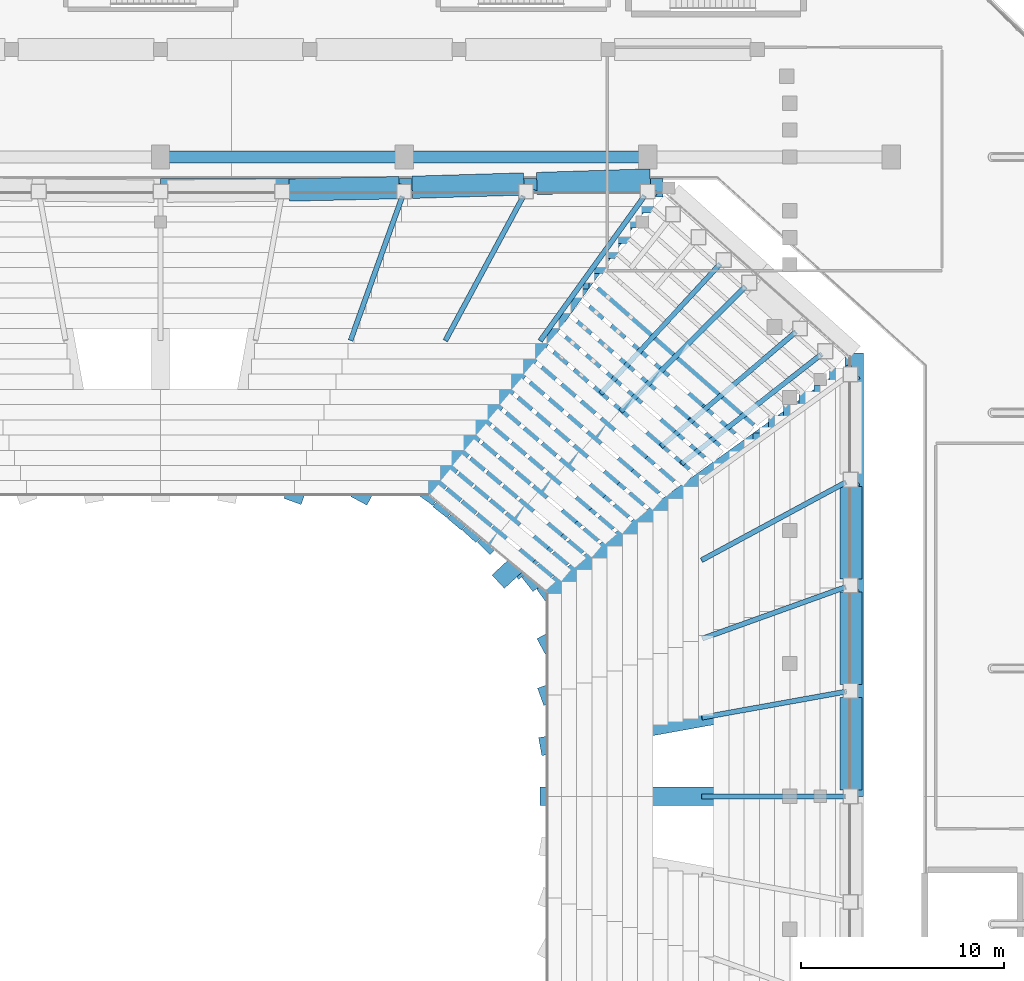
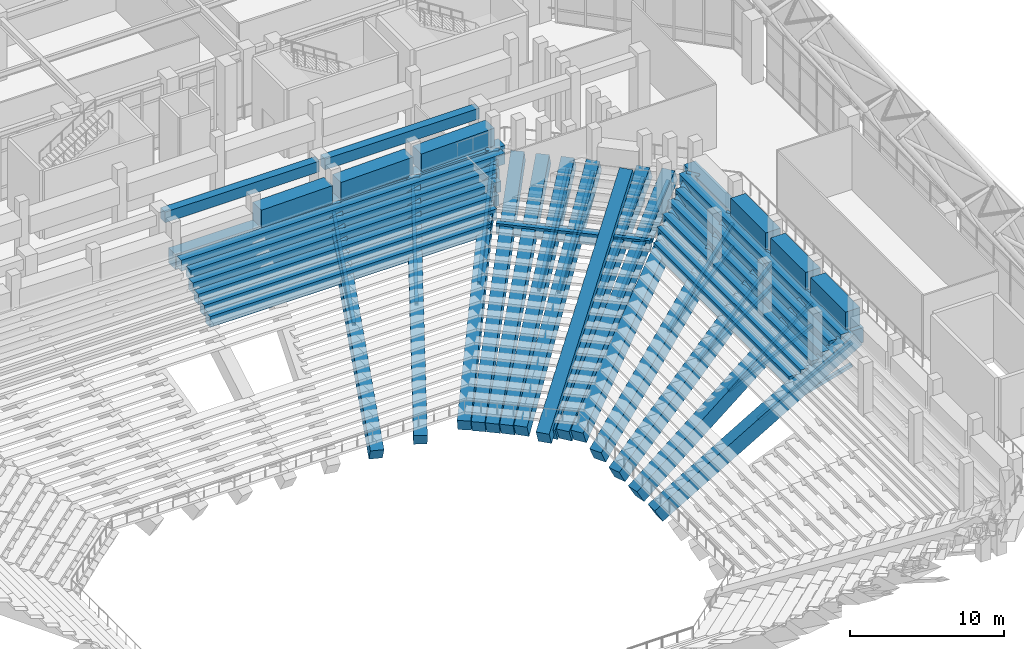
# One storey, part 51 of 159: 38 beams, 22 members.
"""IFC4 building model written with IfcOpenShell, lengths in metres."""

from ifc_helpers import new_model, si_unit, derived_unit, direction, frame, origin, origin_2d, place, context, subcontext, project, spatial, rectangle, hollow_rectangle, extrude, material, material_profile, profile_set, type_object, element, save


model = new_model("IFC4")

# Units and contexts
model_context = context("Model", 3, precision=1e-05, world=origin(), true_north=direction((0.0, 1.0)))
body_context = subcontext(model_context, "Body", "Model", "MODEL_VIEW")
ifc_project = project(units=[si_unit("LENGTHUNIT", "METRE"), si_unit("AREAUNIT", "SQUARE_METRE"), si_unit("VOLUMEUNIT", "CUBIC_METRE"), si_unit("PLANEANGLEUNIT", "RADIAN"), si_unit("MASSUNIT", "GRAM", prefix="KILO"), derived_unit("THERMALTRANSMITTANCEUNIT", [(si_unit("MASSUNIT", "GRAM", prefix="KILO"), 1), (si_unit("TIMEUNIT", "SECOND"), -3), (si_unit("THERMODYNAMICTEMPERATUREUNIT", "KELVIN"), -1)])], contexts=[model_context])

# Site, building, storey
site_placement = place(None, origin())
site = spatial("IfcSite", under=ifc_project, at=site_placement, CompositionType="ELEMENT")
building_placement = place(site_placement, origin())
building = spatial("IfcBuilding", under=site, at=building_placement, Name="Valcora Ridge Arena", CompositionType="ELEMENT")
storey_placement = place(building_placement, frame((0.0, 0.0, 6.0)))
storey = spatial("IfcBuildingStorey", under=building, at=storey_placement, Name="L01", CompositionType="ELEMENT", Elevation=6.0)

# Beams
ifc_material_1 = material(Name="Concrete C40/50", Category="concrete")
ifc_material_profile_1 = material_profile(ifc_material_1, rectangle(XDim=0.60009765625, YDim=0.85009765625, at=origin_2d()), Name="RC 600x850")
ifc_profile_set_1 = profile_set([ifc_material_profile_1], Name="Concrete C40/50")
beam_type_1 = type_object("IfcBeamType", Name="TY-BEAM-B-RC600-X", PredefinedType="BEAM", material=ifc_profile_set_1)
beam_1_placement = place(storey_placement, frame((87.5, 64.3798828125, 0.135009765625), z_axis=(0.0, 1.0, 0.0), x_axis=(-1.0, 0.0, 0.0)))
element("IfcBeam", 1, at=beam_1_placement, inside=storey, type_object=beam_type_1, Name="B-RC600-X BEM-R2-B-RC600-X-0161", PredefinedType="BEAM", context=body_context, shape_type="SweptSolid", body=[
    extrude(rectangle(XDim=0.60009765625, YDim=0.85009765625, at=origin_2d()), origin(), (0.0, 0.0, 1.0), 17.630126953125),
])
beam_2_placement = place(storey_placement, frame((87.28955078125, 82.474609375, 0.135009765625), z_axis=(-0.751952198768, 0.659217635359, 0.0), x_axis=(-0.659217635359, -0.751952198768, 0.0)))
element("IfcBeam", 2, at=beam_2_placement, inside=storey, type_object=beam_type_1, Name="B-RC600-X BEM-R2-B-RC600-X-0162", PredefinedType="BEAM", context=body_context, shape_type="SweptSolid", body=[
    extrude(rectangle(XDim=0.60009765625, YDim=0.85009765625, at=origin_2d()), origin(), (0.0, 0.0, 1.0), 10.225341796875),
])
beam_3_placement = place(storey_placement, frame((79.110107421875, 89.39990234375, 0.135009765625), z_axis=(-1.0, 0.0, 0.0), x_axis=(0.0, -1.0, 0.0)))
element("IfcBeam", 3, at=beam_3_placement, inside=storey, type_object=beam_type_1, Name="B-RC600-X BEM-R2-B-RC600-X-0163", PredefinedType="BEAM", context=body_context, shape_type="SweptSolid", body=[
    extrude(rectangle(XDim=0.60009765625, YDim=0.85009765625, at=origin_2d()), origin(), (0.0, 0.0, 1.0), 21.110107421875),
])
beam_4_placement = place(storey_placement, frame((88.25, 64.10009765625, 0.574951171875), z_axis=(0.0, 1.0, 0.0), x_axis=(-1.0, 0.0, 0.0)))
element("IfcBeam", 4, at=beam_4_placement, inside=storey, type_object=beam_type_1, Name="B-RC600-X BEM-R2-B-RC600-X-0173", PredefinedType="BEAM", context=body_context, shape_type="SweptSolid", body=[
    extrude(rectangle(XDim=0.60009765625, YDim=0.85009765625, at=origin_2d()), origin(), (0.0, 0.0, 1.0), 18.77490234375),
])
beam_5_placement = place(storey_placement, frame((79.97509765625, 90.14990234375, 0.574951171875), z_axis=(-1.0, 0.0, 0.0), x_axis=(0.0, -1.0, 0.0)))
element("IfcBeam", 5, at=beam_5_placement, inside=storey, type_object=beam_type_1, Name="B-RC600-X BEM-R2-B-RC600-X-0175", PredefinedType="BEAM", context=body_context, shape_type="SweptSolid", body=[
    extrude(rectangle(XDim=0.60009765625, YDim=0.85009765625, at=origin_2d()), origin(), (0.0, 0.0, 1.0), 21.97509765625),
])
beam_6_placement = place(storey_placement, frame((89.0, 64.10009765625, 1.014892578125), z_axis=(0.0, 1.0, 0.0), x_axis=(-1.0, 0.0, 0.0)))
element("IfcBeam", 6, at=beam_6_placement, inside=storey, type_object=beam_type_1, Name="B-RC600-X BEM-R2-B-RC600-X-0185", PredefinedType="BEAM", context=body_context, shape_type="SweptSolid", body=[
    extrude(rectangle(XDim=0.60009765625, YDim=0.85009765625, at=origin_2d()), origin(), (0.0, 0.0, 1.0), 19.35986328125),
])
beam_7_placement = place(storey_placement, frame((80.56005859375, 90.89990234375, 1.014892578125), z_axis=(-1.0, 0.0, 0.0), x_axis=(0.0, -1.0, 0.0)))
element("IfcBeam", 7, at=beam_7_placement, inside=storey, type_object=beam_type_1, Name="B-RC600-X BEM-R2-B-RC600-X-0187", PredefinedType="BEAM", context=body_context, shape_type="SweptSolid", body=[
    extrude(rectangle(XDim=0.60009765625, YDim=0.85009765625, at=origin_2d()), origin(), (0.0, 0.0, 1.0), 22.56005859375),
])
beam_8_placement = place(storey_placement, frame((89.75, 64.10009765625, 1.455078125), z_axis=(0.0, 1.0, 0.0), x_axis=(-1.0, 0.0, 0.0)))
element("IfcBeam", 8, at=beam_8_placement, inside=storey, type_object=beam_type_1, Name="B-RC600-X BEM-R2-B-RC600-X-0197", PredefinedType="BEAM", context=body_context, shape_type="SweptSolid", body=[
    extrude(rectangle(XDim=0.60009765625, YDim=0.85009765625, at=origin_2d()), origin(), (0.0, 0.0, 1.0), 19.94482421875),
])
beam_9_placement = place(storey_placement, frame((81.14501953125, 91.64990234375, 1.455078125), z_axis=(-1.0, 0.0, 0.0), x_axis=(0.0, -1.0, 0.0)))
element("IfcBeam", 9, at=beam_9_placement, inside=storey, type_object=beam_type_1, Name="B-RC600-X BEM-R2-B-RC600-X-0199", PredefinedType="BEAM", context=body_context, shape_type="SweptSolid", body=[
    extrude(rectangle(XDim=0.60009765625, YDim=0.85009765625, at=origin_2d()), origin(), (0.0, 0.0, 1.0), 23.14501953125),
])
beam_10_placement = place(storey_placement, frame((90.5, 64.3798828125, 1.89501953125), z_axis=(0.0, 1.0, 0.0), x_axis=(-1.0, 0.0, 0.0)))
element("IfcBeam", 10, at=beam_10_placement, inside=storey, type_object=beam_type_1, Name="B-RC600-X BEM-R2-B-RC600-X-0209", PredefinedType="BEAM", context=body_context, shape_type="SweptSolid", body=[
    extrude(rectangle(XDim=0.60009765625, YDim=0.85009765625, at=origin_2d()), origin(), (0.0, 0.0, 1.0), 19.97021484375),
])
beam_11_placement = place(storey_placement, frame((81.449951171875, 92.39990234375, 1.89501953125), z_axis=(-1.0, 0.0, 0.0), x_axis=(0.0, -1.0, 0.0)))
element("IfcBeam", 11, at=beam_11_placement, inside=storey, type_object=beam_type_1, Name="B-RC600-X BEM-R2-B-RC600-X-0211", PredefinedType="BEAM", context=body_context, shape_type="SweptSolid", body=[
    extrude(rectangle(XDim=0.60009765625, YDim=0.85009765625, at=origin_2d()), origin(), (0.0, 0.0, 1.0), 23.169921875),
])
beam_12_placement = place(storey_placement, frame((91.25, 64.10009765625, 2.3349609375), z_axis=(0.0, 1.0, 0.0), x_axis=(-1.0, 0.0, 0.0)))
element("IfcBeam", 12, at=beam_12_placement, inside=storey, type_object=beam_type_1, Name="B-RC600-X BEM-R2-B-RC600-X-0221", PredefinedType="BEAM", context=body_context, shape_type="SweptSolid", body=[
    extrude(rectangle(XDim=0.60009765625, YDim=0.85009765625, at=origin_2d()), origin(), (0.0, 0.0, 1.0), 21.114990234375),
])
beam_13_placement = place(storey_placement, frame((82.31494140625, 93.14990234375, 2.3349609375), z_axis=(-1.0, 0.0, 0.0), x_axis=(0.0, -1.0, 0.0)))
element("IfcBeam", 13, at=beam_13_placement, inside=storey, type_object=beam_type_1, Name="B-RC600-X BEM-R2-B-RC600-X-0223", PredefinedType="BEAM", context=body_context, shape_type="SweptSolid", body=[
    extrude(rectangle(XDim=0.60009765625, YDim=0.85009765625, at=origin_2d()), origin(), (0.0, 0.0, 1.0), 24.31494140625),
])
ifc_material_profile_2 = material_profile(ifc_material_1, rectangle(XDim=0.60009765625, YDim=0.85009765625, at=origin_2d()), Name="RC 600x850")
ifc_profile_set_2 = profile_set([ifc_material_profile_2], Name="Concrete C40/50")
beam_type_2 = type_object("IfcBeamType", Name="TY-BEAM-EB-RC600", PredefinedType="BEAM", material=ifc_profile_set_2)
for number, where, z_axis, x_axis, name in (
    (14, (58.199951171875, 95.60009765625, 4.614990234375), (1.0, 0.0, 0.0), (0.0, 1.0, 0.0), "EB-RC600 BEM-EB-RC600-0028"),
    (15, (70.199951171875, 95.60009765625, 4.614990234375), (1.0, 0.0, 0.0), (0.0, 1.0, 0.0), "EB-RC600 BEM-EB-RC600-0029"),
):
    element("IfcBeam", number, at=place(storey_placement, frame(where, z_axis=z_axis, x_axis=x_axis)), inside=storey, type_object=beam_type_2, Name=name, PredefinedType="BEAM", context=body_context, shape_type="SweptSolid", body=[
        extrude(rectangle(XDim=0.60009765625, YDim=0.85009765625, at=origin_2d()), origin(), (0.0, 0.0, 1.0), 11.60009765625),
    ])
ifc_material_profile_3 = material_profile(ifc_material_1, rectangle(XDim=0.89990234375, YDim=1.199951171875, at=origin_2d()), Name="RC 900x1200")
ifc_profile_set_3 = profile_set([ifc_material_profile_3], Name="Concrete C40/50")
beam_type_3 = type_object("IfcBeamType", Name="TY-BEAM-RKR-LOW-1200", PredefinedType="USERDEFINED", material=ifc_profile_set_3)
beam_14_placement = place(storey_placement, frame((77.0, 64.10009765625, -6.489990234375), z_axis=(0.862523680345, 0.0, 0.506016700163), x_axis=(0.0, 1.0, 0.0)))
element("IfcBeam", 16, at=beam_14_placement, inside=storey, type_object=beam_type_3, Name="RKR-LOW-1200 BEM-RK-RKR-LOW-1200-0020", ObjectType="RAKER", PredefinedType="USERDEFINED", context=body_context, shape_type="SweptSolid", body=[
    extrude(rectangle(XDim=0.89990234375, YDim=1.199951171875, at=origin_2d()), origin(), (0.0, 0.0, 1.0), 17.390869140625),
])
beam_15_placement = place(storey_placement, frame((77.0, 66.60009765625, -6.489990234375), z_axis=(0.852313181593, 0.15341359823, 0.500026507658), x_axis=(-0.177149895134, 0.984183882541, 0.0)))
element("IfcBeam", 17, at=beam_15_placement, inside=storey, type_object=beam_type_3, Name="RKR-LOW-1200 BEM-RK-RKR-LOW-1200-0021", ObjectType="RAKER", PredefinedType="USERDEFINED", context=body_context, shape_type="SweptSolid", body=[
    extrude(rectangle(XDim=0.89990234375, YDim=1.199951171875, at=origin_2d()), origin(), (0.0, 0.0, 1.0), 17.59912109375),
])
beam_16_placement = place(storey_placement, frame((77.0, 69.10009765625, -6.489990234375), z_axis=(0.823728563931, 0.296536920199, 0.483256772248), x_axis=(-0.338714045479, 0.940889364057, 0.0)))
element("IfcBeam", 18, at=beam_16_placement, inside=storey, type_object=beam_type_3, Name="RKR-LOW-1200 BEM-RK-RKR-LOW-1200-0022", ObjectType="RAKER", PredefinedType="USERDEFINED", context=body_context, shape_type="SweptSolid", body=[
    extrude(rectangle(XDim=0.89990234375, YDim=1.199951171875, at=origin_2d()), origin(), (0.0, 0.0, 1.0), 18.2099609375),
])
beam_17_placement = place(storey_placement, frame((77.0, 71.60009765625, -6.489990234375), z_axis=(0.781877545729, 0.422206239171, 0.458704038668), x_axis=(-0.47514226184, 0.879908990188, 0.0)))
element("IfcBeam", 19, at=beam_17_placement, inside=storey, type_object=beam_type_3, Name="RKR-LOW-1200 BEM-RK-RKR-LOW-1200-0023", ObjectType="RAKER", PredefinedType="USERDEFINED", context=body_context, shape_type="SweptSolid", body=[
    extrude(rectangle(XDim=0.89990234375, YDim=1.199951171875, at=origin_2d()), origin(), (0.0, 0.0, 1.0), 19.1845703125),
])
beam_18_placement = place(storey_placement, frame((77.0, 74.10009765625, -6.489990234375), z_axis=(0.732730943072, 0.527556738244, 0.429871205127), x_axis=(-0.584297766578, 0.811539352079, 0.0)))
element("IfcBeam", 20, at=beam_18_placement, inside=storey, type_object=beam_type_3, Name="RKR-LOW-1200 BEM-RK-RKR-LOW-1200-0024", ObjectType="RAKER", PredefinedType="USERDEFINED", context=body_context, shape_type="SweptSolid", body=[
    extrude(rectangle(XDim=0.89990234375, YDim=1.199951171875, at=origin_2d()), origin(), (0.0, 0.0, 1.0), 20.471435546875),
])
beam_19_placement = place(storey_placement, frame((76.27490234375, 74.699951171875, -6.489990234375), z_axis=(0.710363056233, 0.555770131379, 0.431860960734), x_axis=(-0.616193996107, 0.787594412856, 0.0)))
element("IfcBeam", 21, at=beam_19_placement, inside=storey, type_object=beam_type_3, Name="RKR-LOW-1200 BEM-RK-RKR-LOW-1200-0025", ObjectType="RAKER", PredefinedType="USERDEFINED", context=body_context, shape_type="SweptSolid", body=[
    extrude(rectangle(XDim=0.89990234375, YDim=1.199951171875, at=origin_2d()), origin(), (0.0, 0.0, 1.0), 20.376953125),
])
beam_20_placement = place(storey_placement, frame((75.550048828125, 75.300048828125, -6.489990234375), z_axis=(0.686880565857, 0.583474019933, 0.433304923018), x_axis=(-0.647407173148, 0.762144311896, 0.0)))
element("IfcBeam", 22, at=beam_20_placement, inside=storey, type_object=beam_type_3, Name="RKR-LOW-1200 BEM-RK-RKR-LOW-1200-0026", ObjectType="RAKER", PredefinedType="USERDEFINED", context=body_context, shape_type="SweptSolid", body=[
    extrude(rectangle(XDim=0.89990234375, YDim=1.199951171875, at=origin_2d()), origin(), (0.0, 0.0, 1.0), 20.30908203125),
])
beam_21_placement = place(storey_placement, frame((74.10009765625, 76.5, -6.489990234375), z_axis=(0.636882105982, 0.636882105982, 0.434467911543), x_axis=(-0.707106781187, 0.707106781187, 0.0)))
element("IfcBeam", 23, at=beam_21_placement, inside=storey, type_object=beam_type_3, Name="RKR-LOW-1200 BEM-RK-RKR-LOW-1200-0027", ObjectType="RAKER", PredefinedType="USERDEFINED", context=body_context, shape_type="SweptSolid", body=[
    extrude(rectangle(XDim=0.89990234375, YDim=1.199951171875, at=origin_2d()), origin(), (0.0, 0.0, 1.0), 20.2548828125),
])
beam_22_placement = place(storey_placement, frame((73.375, 77.10009765625, -6.489990234375), z_axis=(0.610557205887, 0.6623524234, 0.434176422155), x_axis=(-0.735270801854, 0.677773448832, 0.0)))
element("IfcBeam", 24, at=beam_22_placement, inside=storey, type_object=beam_type_3, Name="RKR-LOW-1200 BEM-RK-RKR-LOW-1200-0028", ObjectType="RAKER", PredefinedType="USERDEFINED", context=body_context, shape_type="SweptSolid", body=[
    extrude(rectangle(XDim=0.89990234375, YDim=1.199951171875, at=origin_2d()), origin(), (0.0, 0.0, 1.0), 20.268310546875),
])
beam_23_placement = place(storey_placement, frame((72.64990234375, 77.699951171875, -6.489990234375), z_axis=(0.583481948544, 0.686875748029, 0.433301883787), x_axis=(-0.762137730499, 0.647414920859, 0.0)))
element("IfcBeam", 25, at=beam_23_placement, inside=storey, type_object=beam_type_3, Name="RKR-LOW-1200 BEM-RK-RKR-LOW-1200-0029", ObjectType="RAKER", PredefinedType="USERDEFINED", context=body_context, shape_type="SweptSolid", body=[
    extrude(rectangle(XDim=0.89990234375, YDim=1.199951171875, at=origin_2d()), origin(), (0.0, 0.0, 1.0), 20.309326171875),
])
beam_24_placement = place(storey_placement, frame((71.925048828125, 78.300048828125, -6.489990234375), z_axis=(0.555774861545, 0.710357120878, 0.431864636307), x_axis=(-0.787589368997, 0.61620044291, 0.0)))
element("IfcBeam", 26, at=beam_24_placement, inside=storey, type_object=beam_type_3, Name="RKR-LOW-1200 BEM-RK-RKR-LOW-1200-0030", ObjectType="RAKER", PredefinedType="USERDEFINED", context=body_context, shape_type="SweptSolid", body=[
    extrude(rectangle(XDim=0.89990234375, YDim=1.199951171875, at=origin_2d()), origin(), (0.0, 0.0, 1.0), 20.376953125),
])
beam_25_placement = place(storey_placement, frame((71.199951171875, 78.89990234375, -6.489990234375), z_axis=(0.527565344936, 0.732726332999, 0.429868500536), x_axis=(-0.811533088795, 0.584306465642, 0.0)))
element("IfcBeam", 27, at=beam_25_placement, inside=storey, type_object=beam_type_3, Name="RKR-LOW-1200 BEM-RK-RKR-LOW-1200-0031", ObjectType="RAKER", PredefinedType="USERDEFINED", context=body_context, shape_type="SweptSolid", body=[
    extrude(rectangle(XDim=0.89990234375, YDim=1.199951171875, at=origin_2d()), origin(), (0.0, 0.0, 1.0), 20.471435546875),
])
beam_26_placement = place(storey_placement, frame((67.89990234375, 78.89990234375, -6.489990234375), z_axis=(0.422216696468, 0.781873344716, 0.458701574061), x_axis=(-0.879903002625, 0.475153349953, 0.0)))
element("IfcBeam", 28, at=beam_26_placement, inside=storey, type_object=beam_type_3, Name="RKR-LOW-1200 BEM-RK-RKR-LOW-1200-0032", ObjectType="RAKER", PredefinedType="USERDEFINED", context=body_context, shape_type="SweptSolid", body=[
    extrude(rectangle(XDim=0.89990234375, YDim=1.199951171875, at=origin_2d()), origin(), (0.0, 0.0, 1.0), 19.184814453125),
])
beam_27_placement = place(storey_placement, frame((64.60009765625, 78.89990234375, -6.489990234375), z_axis=(0.296536920199, 0.823728563931, 0.483256772248), x_axis=(-0.940889364057, 0.338714045479, 0.0)))
element("IfcBeam", 29, at=beam_27_placement, inside=storey, type_object=beam_type_3, Name="RKR-LOW-1200 BEM-RK-RKR-LOW-1200-0033", ObjectType="RAKER", PredefinedType="USERDEFINED", context=body_context, shape_type="SweptSolid", body=[
    extrude(rectangle(XDim=0.89990234375, YDim=1.199951171875, at=origin_2d()), origin(), (0.0, 0.0, 1.0), 18.2099609375),
])
beam_28_placement = place(storey_placement, frame((74.824951171875, 74.85009765625, -6.2900390625), z_axis=(0.662359184273, 0.610552334693, 0.434172958175), x_axis=(-0.677766785233, 0.73527694431, 0.0)))
element("IfcBeam", 30, at=beam_28_placement, inside=storey, type_object=beam_type_3, Name="RKR-LOW-1200 BEM-RKN-RKR-LOW-1200-0002", ObjectType="RAKER", PredefinedType="USERDEFINED", context=body_context, shape_type="SweptSolid", body=[
    extrude(rectangle(XDim=0.89990234375, YDim=1.199951171875, at=origin_2d()), origin(), (0.0, 0.0, 1.0), 20.2685546875),
])
ifc_material_2 = material(Name="Concrete C45/55", Category="concrete")
ifc_material_profile_4 = material_profile(ifc_material_2, rectangle(XDim=0.89990234375, YDim=1.199951171875, at=origin_2d()), Name="RC 900x1200")
ifc_profile_set_4 = profile_set([ifc_material_profile_4], Name="Concrete C45/55")
beam_type_4 = type_object("IfcBeamType", Name="TY-BEAM-RKR-RING-850", PredefinedType="USERDEFINED", material=ifc_profile_set_4)
beam_29_placement = place(storey_placement, frame((92.179931640625, 64.10009765625, 2.159912109375), z_axis=(0.0, 1.0, 0.0), x_axis=(-1.0, 0.0, 0.0)))
element("IfcBeam", 31, at=beam_29_placement, inside=storey, type_object=beam_type_4, Name="RKR-RING-850 BEM-R2-RKR-RING-850-0006", ObjectType="RAKER", PredefinedType="USERDEFINED", context=body_context, shape_type="SweptSolid", body=[
    extrude(rectangle(XDim=0.89990234375, YDim=1.199951171875, at=origin_2d()), origin(), (0.0, 0.0, 1.0), 21.84033203125),
])
beam_30_placement = place(storey_placement, frame((82.760498046875, 94.080078125, 2.159912109375), z_axis=(-1.0, 0.0, 0.0), x_axis=(0.0, -1.0, 0.0)))
element("IfcBeam", 32, at=beam_30_placement, inside=storey, type_object=beam_type_4, Name="RKR-RING-850 BEM-R2-RKR-RING-850-0009", ObjectType="RAKER", PredefinedType="USERDEFINED", context=body_context, shape_type="SweptSolid", body=[
    extrude(rectangle(XDim=0.89990234375, YDim=1.199951171875, at=origin_2d()), origin(), (0.0, 0.0, 1.0), 24.760498046875),
])
ifc_material_profile_5 = material_profile(ifc_material_2, rectangle(XDim=1.10009765625, YDim=1.39990234375, at=origin_2d()), Name="RC 1100x1400")
ifc_profile_set_5 = profile_set([ifc_material_profile_5], Name="Concrete C45/55")
beam_type_5 = type_object("IfcBeamType", Name="TY-BEAM-RKR-URING-1100", PredefinedType="USERDEFINED", material=ifc_profile_set_5)
beam_31_placement = place(storey_placement, frame((92.01953125, 64.419921875, 3.47509765625), z_axis=(0.0, 1.0, 0.0), x_axis=(-1.0, 0.0, 0.0)))
element("IfcBeam", 33, at=beam_31_placement, inside=storey, type_object=beam_type_5, Name="RKR-URING-1100 BEM-RU2-RKR-URING-1100-0017", ObjectType="RAKER", PredefinedType="USERDEFINED", context=body_context, shape_type="SweptSolid", body=[
    extrude(rectangle(XDim=1.10009765625, YDim=1.39990234375, at=origin_2d()), origin(), (0.0, 0.0, 1.0), 4.55126953125),
])
beam_32_placement = place(storey_placement, frame((92.01953125, 69.611083984375, 3.47509765625), z_axis=(0.0, 1.0, 0.0), x_axis=(-1.0, 0.0, 0.0)))
element("IfcBeam", 34, at=beam_32_placement, inside=storey, type_object=beam_type_5, Name="RKR-URING-1100 BEM-RU2-RKR-URING-1100-0018", ObjectType="RAKER", PredefinedType="USERDEFINED", context=body_context, shape_type="SweptSolid", body=[
    extrude(rectangle(XDim=1.10009765625, YDim=1.39990234375, at=origin_2d()), origin(), (0.0, 0.0, 1.0), 4.551513671875),
])
beam_33_placement = place(storey_placement, frame((92.01953125, 74.802490234375, 3.47509765625), z_axis=(0.0, 1.0, 0.0), x_axis=(-1.0, 0.0, 0.0)))
element("IfcBeam", 35, at=beam_33_placement, inside=storey, type_object=beam_type_5, Name="RKR-URING-1100 BEM-RU2-RKR-URING-1100-0019", ObjectType="RAKER", PredefinedType="USERDEFINED", context=body_context, shape_type="SweptSolid", body=[
    extrude(rectangle(XDim=1.10009765625, YDim=1.39990234375, at=origin_2d()), origin(), (0.0, 0.0, 1.0), 4.55126953125),
])
beam_34_placement = place(storey_placement, frame((82.128173828125, 94.470458984375, 3.47509765625), z_axis=(-0.999483467734, -0.032137170478, 0.0), x_axis=(0.032137170478, -0.999483467734, 0.0)))
element("IfcBeam", 36, at=beam_34_placement, inside=storey, type_object=beam_type_5, Name="RKR-URING-1100 BEM-RU2-RKR-URING-1100-0022", ObjectType="RAKER", PredefinedType="USERDEFINED", context=body_context, shape_type="SweptSolid", body=[
    extrude(rectangle(XDim=1.10009765625, YDim=1.39990234375, at=origin_2d()), origin(), (0.0, 0.0, 1.0), 5.59130859375),
])
beam_35_placement = place(storey_placement, frame((75.900146484375, 94.27099609375, 3.47509765625), z_axis=(-0.999554744267, -0.029838116784, 0.0), x_axis=(0.029838116784, -0.999554744267, 0.0)))
element("IfcBeam", 37, at=beam_35_placement, inside=storey, type_object=beam_type_5, Name="RKR-URING-1100 BEM-RU2-RKR-URING-1100-0023", ObjectType="RAKER", PredefinedType="USERDEFINED", context=body_context, shape_type="SweptSolid", body=[
    extrude(rectangle(XDim=1.10009765625, YDim=1.39990234375, at=origin_2d()), origin(), (0.0, 0.0, 1.0), 5.506591796875),
])
beam_36_placement = place(storey_placement, frame((69.756103515625, 94.09033203125, 3.47509765625), z_axis=(-0.999760781893, -0.02187187666, 0.0), x_axis=(0.02187187666, -0.999760781893, 0.0)))
element("IfcBeam", 38, at=beam_36_placement, inside=storey, type_object=beam_type_5, Name="RKR-URING-1100 BEM-RU2-RKR-URING-1100-0024", ObjectType="RAKER", PredefinedType="USERDEFINED", context=body_context, shape_type="SweptSolid", body=[
    extrude(rectangle(XDim=1.10009765625, YDim=1.39990234375, at=origin_2d()), origin(), (0.0, 0.0, 1.0), 5.4248046875),
])

# Members
ifc_material_3 = material(Name="Steel ASTM A500 Grade C", Category="steel")
ifc_material_profile_6 = material_profile(ifc_material_3, hollow_rectangle(XDim=0.25, YDim=0.25, WallThickness=0.012451171875, at=origin_2d()), Name="HSS250X250X12")
ifc_profile_set_6 = profile_set([ifc_material_profile_6], Name="Steel ASTM A500 Grade C")
member_type_1 = type_object("IfcMemberType", Name="TY-MEMBER-RKRC-253", PredefinedType="CHORD", material=ifc_profile_set_6)
member_1_placement = place(storey_placement, frame((84.731201171875, 64.10009765625, -1.835205078125), z_axis=(0.962966810451, 0.0, 0.269619958404), x_axis=(0.0, 1.0, 0.0)))
element("IfcMember", 39, at=member_1_placement, inside=storey, type_object=member_type_1, Name="RKRC-253 MBR-RK-RKRC-253-0020", PredefinedType="CHORD", context=body_context, shape_type="SweptSolid", body=[
    extrude(hollow_rectangle(XDim=0.25, YDim=0.25, WallThickness=0.012451171875, at=origin_2d()), origin(), (0.0, 0.0, 1.0), 7.2685546875),
])
member_2_placement = place(storey_placement, frame((84.727783203125, 67.990966796875, -1.836181640625), z_axis=(0.948821177296, 0.170793762915, 0.265646125634), x_axis=(-0.177158977377, 0.984182247724, 0.0)))
element("IfcMember", 40, at=member_2_placement, inside=storey, type_object=member_type_1, Name="RKRC-253 MBR-RK-RKRC-253-0021", PredefinedType="CHORD", context=body_context, shape_type="SweptSolid", body=[
    extrude(hollow_rectangle(XDim=0.25, YDim=0.25, WallThickness=0.012451171875, at=origin_2d()), origin(), (0.0, 0.0, 1.0), 7.384521484375),
])
member_3_placement = place(storey_placement, frame((84.718505859375, 71.878662109375, -1.8388671875), z_axis=(0.909842319081, 0.327538176853, 0.254765965375), x_axis=(-0.338714837769, 0.940889078837, 0.0)))
element("IfcMember", 41, at=member_3_placement, inside=storey, type_object=member_type_1, Name="RKRC-253 MBR-RK-RKRC-253-0022", PredefinedType="CHORD", context=body_context, shape_type="SweptSolid", body=[
    extrude(hollow_rectangle(XDim=0.25, YDim=0.25, WallThickness=0.012451171875, at=origin_2d()), origin(), (0.0, 0.0, 1.0), 7.722900390625),
])
member_4_placement = place(storey_placement, frame((84.705078125, 75.7607421875, -1.842529296875), z_axis=(0.854357657717, 0.461353135167, 0.239220144161), x_axis=(-0.475148914735, 0.879905397657, 0.0)))
element("IfcMember", 42, at=member_4_placement, inside=storey, type_object=member_type_1, Name="RKRC-253 MBR-RK-RKRC-253-0023", PredefinedType="CHORD", context=body_context, shape_type="SweptSolid", body=[
    extrude(hollow_rectangle(XDim=0.25, YDim=0.25, WallThickness=0.012451171875, at=origin_2d()), origin(), (0.0, 0.0, 1.0), 8.258544921875),
])
member_5_placement = place(storey_placement, frame((83.69677734375, 80.506591796875, -1.846435546875), z_axis=(0.76779483786, 0.600716058298, 0.222780843561), x_axis=(-0.616202108903, 0.787588065541, 0.0)))
element("IfcMember", 43, at=member_5_placement, inside=storey, type_object=member_type_1, Name="RKRC-253 MBR-RK-RKRC-253-0025", PredefinedType="CHORD", context=body_context, shape_type="SweptSolid", body=[
    extrude(hollow_rectangle(XDim=0.25, YDim=0.25, WallThickness=0.012451171875, at=origin_2d()), origin(), (0.0, 0.0, 1.0), 8.90625),
])
member_6_placement = place(storey_placement, frame((82.703369140625, 81.37646484375, -1.84619140625), z_axis=(0.742829471348, 0.63102107054, 0.223644327072), x_axis=(-0.647419677561, 0.762133689786, 0.0)))
element("IfcMember", 44, at=member_6_placement, inside=storey, type_object=member_type_1, Name="RKRC-253 MBR-RK-RKRC-253-0026", PredefinedType="CHORD", context=body_context, shape_type="SweptSolid", body=[
    extrude(hollow_rectangle(XDim=0.25, YDim=0.25, WallThickness=0.012451171875, at=origin_2d()), origin(), (0.0, 0.0, 1.0), 8.86962890625),
])
member_7_placement = place(storey_placement, frame((80.71533203125, 83.115478515625, -1.84619140625), z_axis=(0.689094044005, 0.689066427219, 0.224358769377), x_axis=(-0.70709261142, 0.707120950669, 0.0)))
element("IfcMember", 45, at=member_7_placement, inside=storey, type_object=member_type_1, Name="RKRC-253 MBR-RK-RKRC-253-0027", PredefinedType="CHORD", context=body_context, shape_type="SweptSolid", body=[
    extrude(hollow_rectangle(XDim=0.25, YDim=0.25, WallThickness=0.012451171875, at=origin_2d()), origin(), (0.0, 0.0, 1.0), 8.84033203125),
])
member_8_placement = place(storey_placement, frame((79.720947265625, 83.984619140625, -1.84619140625), z_axis=(0.660534138678, 0.716549023025, 0.224169911547), x_axis=(-0.735261368938, 0.677783681825, 0.0)))
element("IfcMember", 46, at=member_8_placement, inside=storey, type_object=member_type_1, Name="RKRC-253 MBR-RK-RKRC-253-0028", PredefinedType="CHORD", context=body_context, shape_type="SweptSolid", body=[
    extrude(hollow_rectangle(XDim=0.25, YDim=0.25, WallThickness=0.012451171875, at=origin_2d()), origin(), (0.0, 0.0, 1.0), 8.84765625),
])
member_9_placement = place(storey_placement, frame((76.73681640625, 86.58984375, -1.8466796875), z_axis=(0.569779115375, 0.791367453476, 0.221561082463), x_axis=(-0.811536992157, 0.584301044293, 0.0)))
element("IfcMember", 47, at=member_9_placement, inside=storey, type_object=member_type_1, Name="RKRC-253 MBR-RK-RKRC-253-0031", PredefinedType="CHORD", context=body_context, shape_type="SweptSolid", body=[
    extrude(hollow_rectangle(XDim=0.25, YDim=0.25, WallThickness=0.012451171875, at=origin_2d()), origin(), (0.0, 0.0, 1.0), 8.95751953125),
])
member_10_placement = place(storey_placement, frame((72.060791015625, 86.60498046875, -1.842529296875), z_axis=(0.461341483015, 0.85436564146, 0.239214102304), x_axis=(-0.879912271193, 0.475136185746, 0.0)))
element("IfcMember", 48, at=member_10_placement, inside=storey, type_object=member_type_1, Name="RKRC-253 MBR-RK-RKRC-253-0032", PredefinedType="CHORD", context=body_context, shape_type="SweptSolid", body=[
    extrude(hollow_rectangle(XDim=0.25, YDim=0.25, WallThickness=0.012451171875, at=origin_2d()), origin(), (0.0, 0.0, 1.0), 8.258544921875),
])
member_11_placement = place(storey_placement, frame((67.378662109375, 86.618408203125, -1.8388671875), z_axis=(0.327528756284, 0.909847762124, 0.254758637862), x_axis=(-0.940892829266, 0.338704419569, 0.0)))
element("IfcMember", 49, at=member_11_placement, inside=storey, type_object=member_type_1, Name="RKRC-253 MBR-RK-RKRC-253-0033", PredefinedType="CHORD", context=body_context, shape_type="SweptSolid", body=[
    extrude(hollow_rectangle(XDim=0.25, YDim=0.25, WallThickness=0.012451171875, at=origin_2d()), origin(), (0.0, 0.0, 1.0), 7.72314453125),
])
ifc_material_profile_7 = material_profile(ifc_material_3, hollow_rectangle(XDim=0.25, YDim=0.25, WallThickness=0.012451171875, at=origin_2d()), Name="HSS250X250X12")
ifc_profile_set_7 = profile_set([ifc_material_profile_7], Name="Steel ASTM A500 Grade C")
member_type_2 = type_object("IfcMemberType", Name="TY-MEMBER-RKRD-253", PredefinedType="BRACE", material=ifc_profile_set_7)
member_12_placement = place(storey_placement, frame((84.712890625, 64.10009765625, -1.7392578125), z_axis=(0.887218312753, 0.0, 0.461349829864), x_axis=(0.0, 1.0, 0.0)))
element("IfcMember", 50, at=member_12_placement, inside=storey, type_object=member_type_2, Name="RKRD-253 Raker Diagonal Brace", PredefinedType="BRACE", context=body_context, shape_type="SweptSolid", body=[
    extrude(hollow_rectangle(XDim=0.25, YDim=0.25, WallThickness=0.012451171875, at=origin_2d()), origin(), (0.0, 0.0, 1.0), 7.93359375),
])
member_13_placement = place(storey_placement, frame((84.710205078125, 67.98779296875, -1.74072265625), z_axis=(0.876114813191, 0.157709168216, 0.455577273762), x_axis=(-0.177162249107, 0.984181658786, 0.0)))
element("IfcMember", 51, at=member_13_placement, inside=storey, type_object=member_type_2, Name="RKRD-253 Raker Diagonal Brace", PredefinedType="BRACE", context=body_context, shape_type="SweptSolid", body=[
    extrude(hollow_rectangle(XDim=0.25, YDim=0.25, WallThickness=0.012451171875, at=origin_2d()), origin(), (0.0, 0.0, 1.0), 8.04052734375),
])
member_14_placement = place(storey_placement, frame((84.702880859375, 71.873046875, -1.744384765625), z_axis=(0.845160099491, 0.304251791003, 0.439471562107), x_axis=(-0.338713707959, 0.940889485562, 0.0)))
element("IfcMember", 52, at=member_14_placement, inside=storey, type_object=member_type_2, Name="RKRD-253 Raker Diagonal Brace", PredefinedType="BRACE", context=body_context, shape_type="SweptSolid", body=[
    extrude(hollow_rectangle(XDim=0.25, YDim=0.25, WallThickness=0.012451171875, at=origin_2d()), origin(), (0.0, 0.0, 1.0), 8.35400390625),
])
member_15_placement = place(storey_placement, frame((84.69189453125, 75.753662109375, -1.75), z_axis=(0.800127536349, 0.432078796769, 0.416057494776), x_axis=(-0.47515736693, 0.879900833419, 0.0)))
element("IfcMember", 53, at=member_15_placement, inside=storey, type_object=member_type_2, Name="RKRD-253 Raker Diagonal Brace", PredefinedType="BRACE", context=body_context, shape_type="SweptSolid", body=[
    extrude(hollow_rectangle(XDim=0.25, YDim=0.25, WallThickness=0.012451171875, at=origin_2d()), origin(), (0.0, 0.0, 1.0), 8.853515625),
])
member_16_placement = place(storey_placement, frame((83.6865234375, 80.49853515625, -1.756103515625), z_axis=(0.725001698451, 0.56723559098, 0.390661389913), x_axis=(-0.616202456492, 0.787587793591, 0.0)))
element("IfcMember", 54, at=member_16_placement, inside=storey, type_object=member_type_2, Name="RKRD-253 Raker Diagonal Brace", PredefinedType="BRACE", context=body_context, shape_type="SweptSolid", body=[
    extrude(hollow_rectangle(XDim=0.25, YDim=0.25, WallThickness=0.012451171875, at=origin_2d()), origin(), (0.0, 0.0, 1.0), 9.462890625),
])
member_17_placement = place(storey_placement, frame((82.693359375, 81.367919921875, -1.755859375), z_axis=(0.701135776144, 0.595587341236, 0.392025946042), x_axis=(-0.647409802287, 0.762142078554, 0.0)))
element("IfcMember", 55, at=member_17_placement, inside=storey, type_object=member_type_2, Name="RKRD-253 Raker Diagonal Brace", PredefinedType="BRACE", context=body_context, shape_type="SweptSolid", body=[
    extrude(hollow_rectangle(XDim=0.25, YDim=0.25, WallThickness=0.012451171875, at=origin_2d()), origin(), (0.0, 0.0, 1.0), 9.427978515625),
])
member_18_placement = place(storey_placement, frame((80.7060546875, 83.10595703125, -1.755615234375), z_axis=(0.650176136427, 0.650176136427, 0.39311828149), x_axis=(-0.707106781187, 0.707106781187, 0.0)))
element("IfcMember", 56, at=member_18_placement, inside=storey, type_object=member_type_2, Name="RKRD-253 Raker Diagonal Brace", PredefinedType="BRACE", context=body_context, shape_type="SweptSolid", body=[
    extrude(hollow_rectangle(XDim=0.25, YDim=0.25, WallThickness=0.012451171875, at=origin_2d()), origin(), (0.0, 0.0, 1.0), 9.400634765625),
])
member_19_placement = place(storey_placement, frame((79.712158203125, 83.974853515625, -1.755615234375), z_axis=(0.623275648441, 0.676166878101, 0.392843249935), x_axis=(-0.735279330039, 0.677764197061, 0.0)))
element("IfcMember", 57, at=member_19_placement, inside=storey, type_object=member_type_2, Name="RKRD-253 Raker Diagonal Brace", PredefinedType="BRACE", context=body_context, shape_type="SweptSolid", body=[
    extrude(hollow_rectangle(XDim=0.25, YDim=0.25, WallThickness=0.012451171875, at=origin_2d()), origin(), (0.0, 0.0, 1.0), 9.4072265625),
])
member_20_placement = place(storey_placement, frame((76.729248046875, 86.579345703125, -1.756591796875), z_axis=(0.538333835895, 0.747691587447, 0.388785250737), x_axis=(-0.811536455245, 0.58430179001, 0.0)))
element("IfcMember", 58, at=member_20_placement, inside=storey, type_object=member_type_2, Name="RKRD-253 Raker Diagonal Brace", PredefinedType="BRACE", context=body_context, shape_type="SweptSolid", body=[
    extrude(hollow_rectangle(XDim=0.25, YDim=0.25, WallThickness=0.012451171875, at=origin_2d()), origin(), (0.0, 0.0, 1.0), 9.510986328125),
])
member_21_placement = place(storey_placement, frame((72.0537109375, 86.592041015625, -1.75), z_axis=(0.432056369085, 0.800137069528, 0.416062451924), x_axis=(-0.879913511774, 0.475133888285, 0.0)))
element("IfcMember", 59, at=member_21_placement, inside=storey, type_object=member_type_2, Name="RKRD-253 Raker Diagonal Brace", PredefinedType="BRACE", context=body_context, shape_type="SweptSolid", body=[
    extrude(hollow_rectangle(XDim=0.25, YDim=0.25, WallThickness=0.012451171875, at=origin_2d()), origin(), (0.0, 0.0, 1.0), 8.853515625),
])
member_22_placement = place(storey_placement, frame((67.373046875, 86.602783203125, -1.744384765625), z_axis=(0.304251791003, 0.845160099491, 0.439471562107), x_axis=(-0.940889485562, 0.338713707959, 0.0)))
element("IfcMember", 60, at=member_22_placement, inside=storey, type_object=member_type_2, Name="RKRD-253 Raker Diagonal Brace", PredefinedType="BRACE", context=body_context, shape_type="SweptSolid", body=[
    extrude(hollow_rectangle(XDim=0.25, YDim=0.25, WallThickness=0.012451171875, at=origin_2d()), origin(), (0.0, 0.0, 1.0), 8.35400390625),
])

save(model, "model.ifc")
